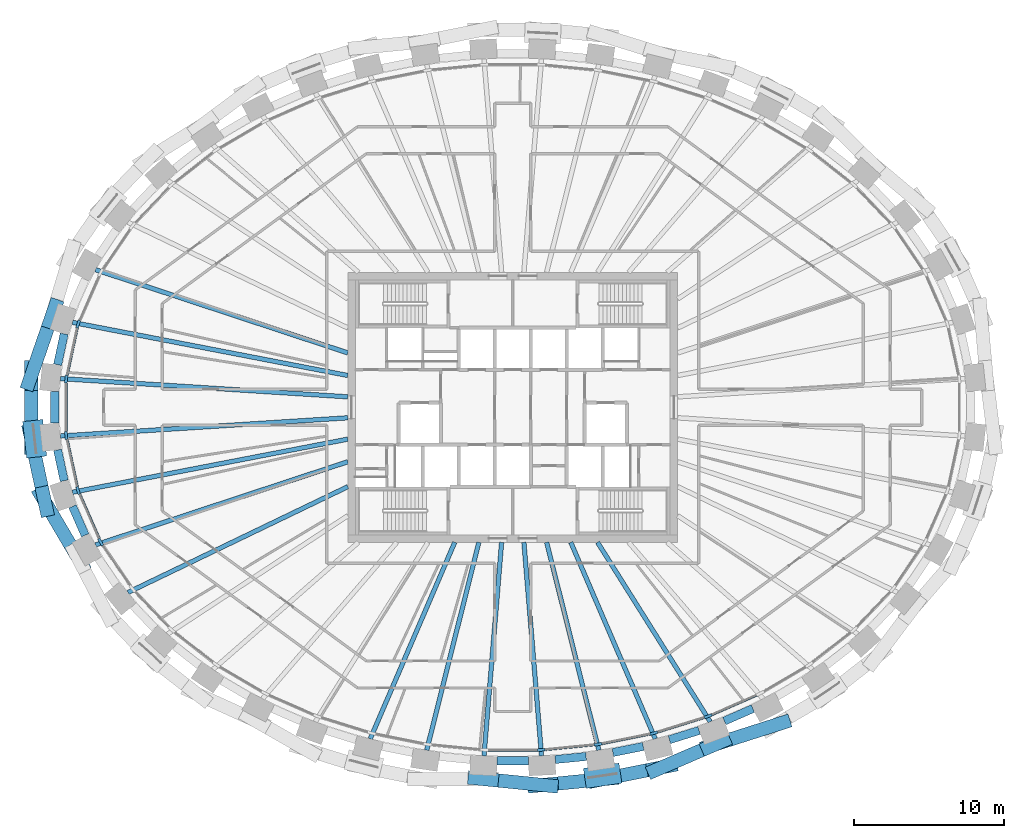
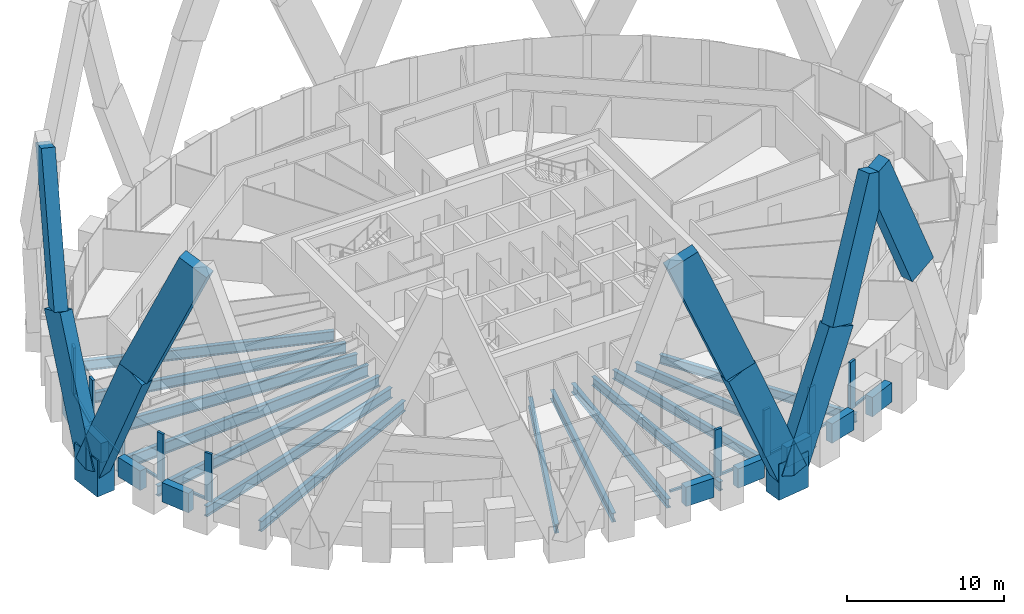
# One storey, part 2 of 14: 29 members, 23 beams, 1 element without a shape of its own.
"""IFC4 building model written with IfcOpenShell, lengths in metres."""

from ifc_helpers import new_model, si_unit, direction, frame, origin, origin_2d, place, context, subcontext, project, spatial, rectangle, i_section, extrude, source, transform, mapped, material, material_profile, profile_set, type_object, element, aggregate, save


model = new_model("IFC4")

# Units and contexts
model_context = context("Model", 3, precision=1e-05, world=origin(), true_north=direction((0.0, 1.0)))
body_context = subcontext(model_context, "Body", "Model", "MODEL_VIEW")
ifc_project = project(units=[si_unit("LENGTHUNIT", "METRE"), si_unit("AREAUNIT", "SQUARE_METRE"), si_unit("VOLUMEUNIT", "CUBIC_METRE"), si_unit("PLANEANGLEUNIT", "RADIAN"), si_unit("MASSUNIT", "GRAM", prefix="KILO")], contexts=[model_context])

# Site, building, storey
site_placement = place(None, origin())
site = spatial("IfcSite", under=ifc_project, at=site_placement, CompositionType="ELEMENT")
building_placement = place(site_placement, origin())
building = spatial("IfcBuilding", under=site, at=building_placement, Name="Embergate Tower", CompositionType="ELEMENT")
storey_placement = place(building_placement, frame((0.0, 0.0, 297.39990234375)))
storey = spatial("IfcBuildingStorey", under=building, at=storey_placement, Name="L69", CompositionType="ELEMENT", Elevation=297.39990234375)

# Beams
ifc_material_1 = material(Name="Concrete C50", Category="concrete")
ifc_material_profile_1 = material_profile(ifc_material_1, rectangle(XDim=0.550048828125, YDim=1.5, at=origin_2d()), Name="RC 550x1500")
ifc_profile_set_1 = profile_set([ifc_material_profile_1], Name="Concrete C50")
beam_type_1 = type_object("IfcBeamType", Name="Spandrel beam RC 550x1500 C50", PredefinedType="BEAM", material=ifc_profile_set_1)
shared_shape_1 = source(origin(), body_context, "Body", "SweptSolid", [
    extrude(rectangle(XDim=0.550048828125, YDim=1.5, at=origin_2d()), origin(), (0.0, 0.0, 1.0), 2.10107421875),
])
for number, where, z_axis, x_axis, name in (
    (1, (-29.905029296875, 4.89501953125, 0.0), (-0.210330547493, -0.977630329312, 0.0), (0.977630329312, -0.210330547493, 0.0), "SPN-L69-20"),
    (2, (-30.346923828125, -2.841064453125, 0.0), (0.210330547493, -0.977630329312, 0.0), (0.977630329312, 0.210330547493, 0.0), "SPN-L69-22"),
):
    element("IfcBeam", number, at=place(storey_placement, frame(where, z_axis=z_axis, x_axis=x_axis)), inside=storey, type_object=beam_type_1, Name=name, PredefinedType="BEAM", context=body_context, shape_type="MappedRepresentation", body=[
        mapped(shared_shape_1, transform((0.0, 0.0, 0.0))),
    ])
shared_shape_2 = source(origin(), body_context, "Body", "SweptSolid", [
    extrude(rectangle(XDim=0.550048828125, YDim=1.5, at=origin_2d()), origin(), (0.0, 0.0, 1.0), 2.097900390625),
])
beam_1_placement = place(storey_placement, frame((-29.35107421875, -6.60791015625, 0.0), z_axis=(0.401825860592, -0.91571610107, 0.0), x_axis=(0.91571610107, 0.401825860592, 0.0)))
element("IfcBeam", 3, at=beam_1_placement, inside=storey, type_object=beam_type_1, Name="SPN-L69-23", PredefinedType="BEAM", context=body_context, shape_type="MappedRepresentation", body=[
    mapped(shared_shape_2, transform((0.0, 0.0, 0.0))),
])
shared_shape_3 = source(origin(), body_context, "Body", "SweptSolid", [
    extrude(rectangle(XDim=0.550048828125, YDim=1.5, at=origin_2d()), origin(), (0.0, 0.0, 1.0), 2.073486328125),
])
beam_2_placement = place(storey_placement, frame((14.10791015625, -20.916015625, 0.0), z_axis=(0.91637608024, 0.400318472673, 0.0), x_axis=(-0.400318472673, 0.91637608024, 0.0)))
element("IfcBeam", 4, at=beam_2_placement, inside=storey, type_object=beam_type_1, Name="SPN-L69-36", PredefinedType="BEAM", context=body_context, shape_type="MappedRepresentation", body=[
    mapped(shared_shape_3, transform((0.0, 0.0, 0.0))),
])
shared_shape_4 = source(origin(), body_context, "Body", "SweptSolid", [
    extrude(rectangle(XDim=0.550048828125, YDim=1.5, at=origin_2d()), origin(), (0.0, 0.0, 1.0), 2.07080078125),
])
beam_3_placement = place(storey_placement, frame((10.445068359375, -22.160888671875, 0.0), z_axis=(0.954735561173, 0.297455892917, 0.0), x_axis=(-0.297455892917, 0.954735561173, 0.0)))
element("IfcBeam", 5, at=beam_3_placement, inside=storey, type_object=beam_type_1, Name="SPN-L69-35", PredefinedType="BEAM", context=body_context, shape_type="MappedRepresentation", body=[
    mapped(shared_shape_4, transform((0.0, 0.0, 0.0))),
])
shared_shape_5 = source(origin(), body_context, "Body", "SweptSolid", [
    extrude(rectangle(XDim=0.550048828125, YDim=1.5, at=origin_2d()), origin(), (0.0, 0.0, 1.0), 2.070556640625),
])
beam_4_placement = place(storey_placement, frame((6.6708984375, -23.013916015625, 0.0), z_axis=(0.980398860457, 0.197023030165, 0.0), x_axis=(-0.197023030165, 0.980398860457, 0.0)))
element("IfcBeam", 6, at=beam_4_placement, inside=storey, type_object=beam_type_1, Name="SPN-L69-34", PredefinedType="BEAM", context=body_context, shape_type="MappedRepresentation", body=[
    mapped(shared_shape_5, transform((0.0, 0.0, 0.0))),
])
shared_shape_6 = source(origin(), body_context, "Body", "SweptSolid", [
    extrude(rectangle(XDim=0.550048828125, YDim=1.5, at=origin_2d()), origin(), (0.0, 0.0, 1.0), 2.06884765625),
])
beam_5_placement = place(storey_placement, frame((2.83203125, -23.48095703125, 0.0), z_axis=(0.995226952233, 0.097587466149, 0.0), x_axis=(-0.097587466149, 0.995226952233, 0.0)))
element("IfcBeam", 7, at=beam_5_placement, inside=storey, type_object=beam_type_1, Name="SPN-L69-33", PredefinedType="BEAM", context=body_context, shape_type="MappedRepresentation", body=[
    mapped(shared_shape_6, transform((0.0, 0.0, 0.0))),
])
shared_shape_7 = source(origin(), body_context, "Body", "SweptSolid", [
    extrude(rectangle(XDim=0.550048828125, YDim=1.5, at=origin_2d()), origin(), (0.0, 0.0, 1.0), 2.06982421875),
])
beam_6_placement = place(storey_placement, frame((-1.034912109375, -23.569091796875, 0.0), z_axis=(1.0, 0.0, 0.0), x_axis=(0.0, 1.0, 0.0)))
element("IfcBeam", 8, at=beam_6_placement, inside=storey, type_object=beam_type_1, Name="SPN-L69-32", PredefinedType="BEAM", context=body_context, shape_type="MappedRepresentation", body=[
    mapped(shared_shape_7, transform((0.0, 0.0, 0.0))),
])
shared_shape_8 = source(origin(), body_context, "Body", "SweptSolid", [
    extrude(rectangle(XDim=0.550048828125, YDim=1.5, at=origin_2d()), origin(), (0.0, 0.0, 1.0), 2.10205078125),
])
beam_7_placement = place(storey_placement, frame((-30.5380859375, 1.051025390625, 0.0), z_axis=(0.0, -1.0, 0.0), x_axis=(1.0, 0.0, 0.0)))
element("IfcBeam", 9, at=beam_7_placement, inside=storey, type_object=beam_type_1, Name="SPN-L69-21", PredefinedType="BEAM", context=body_context, shape_type="MappedRepresentation", body=[
    mapped(shared_shape_8, transform((0.0, 0.0, 0.0))),
])
ifc_material_2 = material(Name="Steel Q355B", Category="steel")
ifc_material_profile_2 = material_profile(ifc_material_2, i_section(OverallWidth=0.300048828125, OverallDepth=0.89990234375, WebThickness=0.01611328125, FlangeThickness=0.028076171875, FilletRadius=0.028076171875, at=origin_2d()), Name="HN 900x300x16x28")
ifc_profile_set_2 = profile_set([ifc_material_profile_2], Name="Steel Q355 grade B")
beam_type_2 = type_object("IfcBeamType", Name="Radial girder HN 900x300x16x28", PredefinedType="BEAM", material=ifc_profile_set_2)
shared_shape_9 = source(origin(), body_context, "Body", "SweptSolid", [
    extrude(i_section(OverallWidth=0.300048828125, OverallDepth=0.89990234375, WebThickness=0.01611328125, FlangeThickness=0.028076171875, FilletRadius=0.028076171875, at=origin_2d()), origin(), (0.0, 0.0, 1.0), 19.20166015625),
])
for number, where, z_axis, x_axis, name in (
    (10, (-30.1630859375, 1.916015625, -0.64990234375), (0.997989342147, -0.063381960844, 0.0), (0.063381960844, 0.997989342147, 0.0), "GIR-L69-21"),
    (11, (-30.1630859375, -1.916015625, -0.64990234375), (0.997989342147, 0.063381960844, 0.0), (-0.063381960844, 0.997989342147, 0.0), "GIR-L69-22"),
):
    element("IfcBeam", number, at=place(storey_placement, frame(where, z_axis=z_axis, x_axis=x_axis)), inside=storey, type_object=beam_type_2, Name=name, PredefinedType="BEAM", context=body_context, shape_type="MappedRepresentation", body=[
        mapped(shared_shape_9, transform((0.0, 0.0, 0.0))),
    ])
ifc_material_profile_3 = material_profile(ifc_material_2, i_section(OverallWidth=0.300048828125, OverallDepth=0.800048828125, WebThickness=0.013916015625, FlangeThickness=0.02587890625, FilletRadius=0.028076171875, at=origin_2d()), Name="HN 800x300x14x26")
ifc_profile_set_3 = profile_set([ifc_material_profile_3], Name="Steel Q355 grade B")
beam_type_3 = type_object("IfcBeamType", Name="Radial girder HN 800x300x14x26", PredefinedType="BEAM", material=ifc_profile_set_3)
shared_shape_10 = source(origin(), body_context, "Body", "SweptSolid", [
    extrude(i_section(OverallWidth=0.300048828125, OverallDepth=0.800048828125, WebThickness=0.013916015625, FlangeThickness=0.02587890625, FilletRadius=0.028076171875, at=origin_2d()), origin(), (0.0, 0.0, 1.0), 18.6943359375),
])
for number, where, z_axis, x_axis, name in (
    (12, (-29.35595703125, 5.6630859375, -0.599853515625), (0.981896924723, -0.189416021549, 0.0), (0.189416021549, 0.981896924723, 0.0), "GIR-L69-20"),
    (13, (-29.35595703125, -5.6630859375, -0.599853515625), (0.981896924723, 0.189416021549, 0.0), (-0.189416021549, 0.981896924723, 0.0), "GIR-L69-23"),
):
    element("IfcBeam", number, at=place(storey_placement, frame(where, z_axis=z_axis, x_axis=x_axis)), inside=storey, type_object=beam_type_3, Name=name, PredefinedType="BEAM", context=body_context, shape_type="MappedRepresentation", body=[
        mapped(shared_shape_10, transform((0.0, 0.0, 0.0))),
    ])
shared_shape_11 = source(origin(), body_context, "Body", "SweptSolid", [
    extrude(i_section(OverallWidth=0.300048828125, OverallDepth=0.800048828125, WebThickness=0.013916015625, FlangeThickness=0.02587890625, FilletRadius=0.028076171875, at=origin_2d()), origin(), (0.0, 0.0, 1.0), 17.70703125),
])
for number, where, z_axis, x_axis, name in (
    (14, (-27.81591796875, 9.174072265625, -0.599853515625), (0.949680910183, -0.313219042897, 0.0), (0.313219042897, 0.949680910183, 0.0), "GIR-L69-19"),
    (15, (-27.81591796875, -9.174072265625, -0.599853515625), (0.949680910183, 0.313219042897, 0.0), (-0.313219042897, 0.949680910183, 0.0), "GIR-L69-24"),
):
    element("IfcBeam", number, at=place(storey_placement, frame(where, z_axis=z_axis, x_axis=x_axis)), inside=storey, type_object=beam_type_3, Name=name, PredefinedType="BEAM", context=body_context, shape_type="MappedRepresentation", body=[
        mapped(shared_shape_11, transform((0.0, 0.0, 0.0))),
    ])
shared_shape_12 = source(origin(), body_context, "Body", "SweptSolid", [
    extrude(i_section(OverallWidth=0.300048828125, OverallDepth=0.800048828125, WebThickness=0.013916015625, FlangeThickness=0.02587890625, FilletRadius=0.028076171875, at=origin_2d()), origin(), (0.0, 0.0, 1.0), 16.268310546875),
])
beam_8_placement = place(storey_placement, frame((-25.659912109375, -12.344970703125, -0.599853515625), z_axis=(0.901133717561, 0.433541258791, 0.0), x_axis=(-0.433541258791, 0.901133717561, 0.0)))
element("IfcBeam", 16, at=beam_8_placement, inside=storey, type_object=beam_type_3, Name="GIR-L69-25", PredefinedType="BEAM", context=body_context, shape_type="MappedRepresentation", body=[
    mapped(shared_shape_12, transform((0.0, 0.0, 0.0))),
])
ifc_material_profile_4 = material_profile(ifc_material_2, i_section(OverallWidth=0.300048828125, OverallDepth=0.699951171875, WebThickness=0.012939453125, FlangeThickness=0.02392578125, FilletRadius=0.01806640625, at=origin_2d()), Name="HN 700x300x13x24")
ifc_profile_set_4 = profile_set([ifc_material_profile_4], Name="Steel Q355 grade B")
beam_type_4 = type_object("IfcBeamType", Name="Radial girder HN 700x300x13x24", PredefinedType="BEAM", material=ifc_profile_set_4)
shared_shape_13 = source(origin(), body_context, "Body", "SweptSolid", [
    extrude(i_section(OverallWidth=0.300048828125, OverallDepth=0.699951171875, WebThickness=0.012939453125, FlangeThickness=0.02392578125, FilletRadius=0.01806640625, at=origin_2d()), origin(), (0.0, 0.0, 1.0), 14.126953125),
])
beam_9_placement = place(storey_placement, frame((13.166015625, -20.962890625, -0.5498046875), z_axis=(-0.531886600535, 0.846815590416, 0.0), x_axis=(-0.846815590416, -0.531886600535, 0.0)))
element("IfcBeam", 17, at=beam_9_placement, inside=storey, type_object=beam_type_4, Name="GIR-L69-36", PredefinedType="BEAM", context=body_context, shape_type="MappedRepresentation", body=[
    mapped(shared_shape_13, transform((0.0, 0.0, 0.0))),
])
shared_shape_14 = source(origin(), body_context, "Body", "SweptSolid", [
    extrude(i_section(OverallWidth=0.300048828125, OverallDepth=0.699951171875, WebThickness=0.012939453125, FlangeThickness=0.02392578125, FilletRadius=0.01806640625, at=origin_2d()), origin(), (0.0, 0.0, 1.0), 14.263427734375),
])
for number, where, z_axis, x_axis, name in (
    (18, (-9.501953125, -22.10400390625, -0.5498046875), (0.394929229866, 0.918711545262, 0.0), (-0.918711545262, 0.394929229866, 0.0), "GIR-L69-30"),
    (19, (9.501953125, -22.10400390625, -0.5498046875), (-0.394929229866, 0.918711545262, 0.0), (-0.918711545262, -0.394929229866, 0.0), "GIR-L69-35"),
):
    element("IfcBeam", number, at=place(storey_placement, frame(where, z_axis=z_axis, x_axis=x_axis)), inside=storey, type_object=beam_type_4, Name=name, PredefinedType="BEAM", context=body_context, shape_type="MappedRepresentation", body=[
        mapped(shared_shape_14, transform((0.0, 0.0, 0.0))),
    ])
shared_shape_15 = source(origin(), body_context, "Body", "SweptSolid", [
    extrude(i_section(OverallWidth=0.300048828125, OverallDepth=0.699951171875, WebThickness=0.012939453125, FlangeThickness=0.02392578125, FilletRadius=0.01806640625, at=origin_2d()), origin(), (0.0, 0.0, 1.0), 14.288818359375),
])
for number, where, z_axis, x_axis, name in (
    (20, (-5.738037109375, -22.85888671875, -0.5498046875), (0.243476248961, 0.969906859545, 0.0), (-0.969906859545, 0.243476248961, 0.0), "GIR-L69-31"),
    (21, (5.738037109375, -22.85888671875, -0.5498046875), (-0.243476248961, 0.969906859545, 0.0), (-0.969906859545, -0.243476248961, 0.0), "GIR-L69-34"),
):
    element("IfcBeam", number, at=place(storey_placement, frame(where, z_axis=z_axis, x_axis=x_axis)), inside=storey, type_object=beam_type_4, Name=name, PredefinedType="BEAM", context=body_context, shape_type="MappedRepresentation", body=[
        mapped(shared_shape_15, transform((0.0, 0.0, 0.0))),
    ])
shared_shape_16 = source(origin(), body_context, "Body", "SweptSolid", [
    extrude(i_section(OverallWidth=0.300048828125, OverallDepth=0.699951171875, WebThickness=0.012939453125, FlangeThickness=0.02392578125, FilletRadius=0.01806640625, at=origin_2d()), origin(), (0.0, 0.0, 1.0), 14.282470703125),
])
for number, where, z_axis, x_axis, name in (
    (22, (-1.9189453125, -23.23388671875, -0.5498046875), (0.082340957712, 0.996604217673, 0.0), (-0.996604217673, 0.082340957712, 0.0), "GIR-L69-32"),
    (23, (1.9189453125, -23.23388671875, -0.5498046875), (-0.082340957712, 0.996604217673, 0.0), (-0.996604217673, -0.082340957712, 0.0), "GIR-L69-33"),
):
    element("IfcBeam", number, at=place(storey_placement, frame(where, z_axis=z_axis, x_axis=x_axis)), inside=storey, type_object=beam_type_4, Name=name, PredefinedType="BEAM", context=body_context, shape_type="MappedRepresentation", body=[
        mapped(shared_shape_16, transform((0.0, 0.0, 0.0))),
    ])

# Members
ifc_material_3 = material(Name="Concrete C70", Category="concrete")
ifc_material_profile_5 = material_profile(ifc_material_3, rectangle(XDim=1.35009765625, YDim=2.449951171875, at=origin_2d()), Name="RC 1350x2450")
ifc_profile_set_5 = profile_set([ifc_material_profile_5], Name="Concrete C70")
member_type_1 = type_object("IfcMemberType", Name="Lattice node block RC 1350x2450", PredefinedType="POST", material=ifc_profile_set_5)
shared_shape_17 = source(origin(), body_context, "Body", "SweptSolid", [
    extrude(rectangle(XDim=1.35009765625, YDim=2.449951171875, at=origin_2d()), origin(), (0.0, 0.0, 1.0), 2.849853515625),
])
member_1_placement = place(storey_placement, frame((-31.876953125, -2.10009765625, -1.4248046875), z_axis=(0.0, 0.0, 1.0), x_axis=(-0.99428589498, -0.106749983816, 0.0)))
element("IfcMember", 24, at=member_1_placement, inside=storey, type_object=member_type_1, Name="NOD-L69-22", PredefinedType="POST", context=body_context, shape_type="MappedRepresentation", body=[
    mapped(shared_shape_17, transform((0.0, 0.0, 0.0))),
])
ifc_material_profile_6 = material_profile(ifc_material_3, rectangle(XDim=1.35009765625, YDim=2.39990234375, at=origin_2d()), Name="RC 1350x2400")
ifc_profile_set_6 = profile_set([ifc_material_profile_6], Name="Concrete C70")
member_type_2 = type_object("IfcMemberType", Name="Lattice node block RC 1350x2400", PredefinedType="POST", material=ifc_profile_set_6)
shared_shape_18 = source(origin(), body_context, "Body", "SweptSolid", [
    extrude(rectangle(XDim=1.35009765625, YDim=2.39990234375, at=origin_2d()), origin(), (0.0, 0.0, 1.0), 2.800048828125),
])
member_2_placement = place(storey_placement, frame((5.991943359375, -24.56494140625, -1.39990234375), z_axis=(0.0, 0.0, 1.0), x_axis=(0.146929011949, -0.989147039346, 0.0)))
element("IfcMember", 25, at=member_2_placement, inside=storey, type_object=member_type_2, Name="NOD-L69-34", PredefinedType="POST", context=body_context, shape_type="MappedRepresentation", body=[
    mapped(shared_shape_18, transform((0.0, 0.0, 0.0))),
])
ifc_material_profile_7 = material_profile(ifc_material_3, rectangle(XDim=0.89990234375, YDim=2.199951171875, at=origin_2d()), Name="RC 900x2200")
ifc_profile_set_7 = profile_set([ifc_material_profile_7], Name="Concrete C70")
member_type_3 = type_object("IfcMemberType", Name="Lattice diagonal terracotta-faced RC 900x2200", PredefinedType="BRACE", material=ifc_profile_set_7)
shared_shape_19 = source(origin(), body_context, "Body", "SweptSolid", [
    extrude(rectangle(XDim=0.89990234375, YDim=2.199951171875, at=origin_2d()), origin(), (0.0, 0.0, 1.0), 10.63671875),
])
member_3_placement = place(storey_placement, frame((-32.10107421875, -2.1240234375, 0.0), z_axis=(0.0, 0.399739716127, 0.916628692193), x_axis=(-1.0, 0.0, 0.0)))
element("IfcMember", 26, at=member_3_placement, inside=storey, type_object=member_type_3, Name="BRC-L69-22-20-S00", PredefinedType="BRACE", context=body_context, shape_type="MappedRepresentation", body=[
    mapped(shared_shape_19, transform((0.0, 0.0, 0.0))),
])
shared_shape_20 = source(origin(), body_context, "Body", "SweptSolid", [
    extrude(rectangle(XDim=0.89990234375, YDim=2.199951171875, at=origin_2d()), origin(), (0.0, 0.0, 1.0), 10.671875),
])
member_4_placement = place(storey_placement, frame((-32.10107421875, 2.1279296875, 9.75), z_axis=(0.132984963002, 0.384199117263, 0.913622481066), x_axis=(-0.944991425243, 0.327095102711, 0.0)))
element("IfcMember", 27, at=member_4_placement, inside=storey, type_object=member_type_3, Name="BRC-L69-22-20-S01", PredefinedType="BRACE", context=body_context, shape_type="MappedRepresentation", body=[
    mapped(shared_shape_20, transform((0.0, 0.0, 0.0))),
])
shared_shape_21 = source(origin(), body_context, "Body", "SweptSolid", [
    extrude(rectangle(XDim=0.89990234375, YDim=2.199951171875, at=origin_2d()), origin(), (0.0, 0.0, 1.0), 10.6357421875),
])
member_5_placement = place(storey_placement, frame((-32.10107421875, -2.1240234375, 0.0), z_axis=(0.084151790961, -0.390573574252, 0.916717382389), x_axis=(0.977567223839, 0.210623652224, 0.0)))
element("IfcMember", 28, at=member_5_placement, inside=storey, type_object=member_type_3, Name="BRC-L69-22-24-S00", PredefinedType="BRACE", context=body_context, shape_type="MappedRepresentation", body=[
    mapped(shared_shape_21, transform((0.0, 0.0, 0.0))),
])
shared_shape_22 = source(origin(), body_context, "Body", "SweptSolid", [
    extrude(rectangle(XDim=0.89990234375, YDim=2.199951171875, at=origin_2d()), origin(), (0.0, 0.0, 1.0), 10.68359375),
])
member_6_placement = place(storey_placement, frame((-31.2060546875, -6.278076171875, 9.75), z_axis=(0.207244031553, -0.352399405731, 0.91261414093), x_axis=(0.861987377215, 0.506929740222, 0.0)))
element("IfcMember", 29, at=member_6_placement, inside=storey, type_object=member_type_3, Name="BRC-L69-22-24-S01", PredefinedType="BRACE", context=body_context, shape_type="MappedRepresentation", body=[
    mapped(shared_shape_22, transform((0.0, 0.0, 0.0))),
])
shared_shape_23 = source(origin(), body_context, "Body", "SweptSolid", [
    extrude(rectangle(XDim=0.89990234375, YDim=2.199951171875, at=origin_2d()), origin(), (0.0, 0.0, 1.0), 10.540283203125),
])
member_7_placement = place(storey_placement, frame((6.02490234375, -24.7880859375, 0.0), z_axis=(0.372481276334, 0.074676925247, 0.925030299837), x_axis=(-0.196573403057, 0.980489111215, 0.0)))
element("IfcMember", 30, at=member_7_placement, inside=storey, type_object=member_type_3, Name="BRC-L69-34-36-S00", PredefinedType="BRACE", context=body_context, shape_type="MappedRepresentation", body=[
    mapped(shared_shape_23, transform((0.0, 0.0, 0.0))),
])
shared_shape_24 = source(origin(), body_context, "Body", "SweptSolid", [
    extrude(rectangle(XDim=0.89990234375, YDim=2.199951171875, at=origin_2d()), origin(), (0.0, 0.0, 1.0), 10.552734375),
])
member_8_placement = place(storey_placement, frame((6.02490234375, -24.7880859375, 0.0), z_axis=(-0.38073709082, -0.037317185848, 0.923930027283), x_axis=(0.097545585255, -0.995231057995, 0.0)))
element("IfcMember", 31, at=member_8_placement, inside=storey, type_object=member_type_3, Name="BRC-L69-34-32-S00", PredefinedType="BRACE", context=body_context, shape_type="MappedRepresentation", body=[
    mapped(shared_shape_24, transform((0.0, 0.0, 0.0))),
])
shared_shape_25 = source(origin(), body_context, "Body", "SweptSolid", [
    extrude(rectangle(XDim=0.89990234375, YDim=2.199951171875, at=origin_2d()), origin(), (0.0, 0.0, 1.0), 10.536865234375),
])
member_9_placement = place(storey_placement, frame((2.007080078125, -25.181884765625, 9.75), z_axis=(-0.377256429688, 0.038138071691, 0.925323226633), x_axis=(-0.100580579476, -0.994928915568, 0.0)))
element("IfcMember", 32, at=member_9_placement, inside=storey, type_object=member_type_3, Name="BRC-L69-34-32-S01", PredefinedType="BRACE", context=body_context, shape_type="MappedRepresentation", body=[
    mapped(shared_shape_25, transform((0.0, 0.0, 0.0))),
])
shared_shape_26 = source(origin(), body_context, "Body", "SweptSolid", [
    extrude(rectangle(XDim=0.89990234375, YDim=2.199951171875, at=origin_2d()), origin(), (0.0, 0.0, 1.0), 10.50341796875),
])
member_10_placement = place(storey_placement, frame((9.950927734375, -24.0009765625, 9.75), z_axis=(0.341525701712, 0.147181701711, 0.928276759244), x_axis=(-0.395766640327, 0.918351112813, 0.0)))
element("IfcMember", 33, at=member_10_placement, inside=storey, type_object=member_type_3, Name="BRC-L69-34-36-S01", PredefinedType="BRACE", context=body_context, shape_type="MappedRepresentation", body=[
    mapped(shared_shape_26, transform((0.0, 0.0, 0.0))),
])
shared_shape_27 = source(origin(), body_context, "Body", "SweptSolid", [
    extrude(rectangle(XDim=0.89990234375, YDim=2.199951171875, at=origin_2d()), origin(), (0.0, 0.0, 1.0), 10.609130859375),
])
member_11_placement = place(storey_placement, frame((17.52197265625, -21.181884765625, 9.75), z_axis=(-0.375512870127, -0.120008556055, 0.919014706543), x_axis=(0.304417754928, -0.952538624143, 0.0)))
element("IfcMember", 34, at=member_11_placement, inside=storey, type_object=member_type_3, Name="BRC-L69-38-36-S01", PredefinedType="BRACE", context=body_context, shape_type="MappedRepresentation", body=[
    mapped(shared_shape_27, transform((0.0, 0.0, 0.0))),
])

# Curtain wall, members
ifc_material_4 = material(Name="Aluminium and glass", Category="aluminium")
curtain_wall_type = type_object("IfcCurtainWallType", Name="Recessed office glazing", PredefinedType="NOTDEFINED", material=ifc_material_4)
curtain_wall_placement = place(storey_placement, origin())
curtain_wall = element("IfcCurtainWall", 35, at=curtain_wall_placement, inside=storey, type_object=curtain_wall_type, Name="Recessed office glazing ring", ObjectType="RECESSED OFFICE GLAZING", PredefinedType="USERDEFINED")
ifc_material_5 = material(Name="Aluminium, thermally broken", Category="aluminium")
ifc_material_profile_8 = material_profile(ifc_material_5, rectangle(XDim=0.179931640625, YDim=0.52001953125, at=origin_2d()), Name="AL 520x180")
ifc_profile_set_8 = profile_set([ifc_material_profile_8], Name="Aluminium, thermally broken")
member_type_4 = type_object("IfcMemberType", Name="Office mullion", PredefinedType="MULLION", material=ifc_profile_set_8)
shared_shape_28 = source(origin(), body_context, "Body", "SweptSolid", [
    extrude(rectangle(XDim=0.179931640625, YDim=0.52001953125, at=origin_2d()), origin(), (0.0, 0.0, 1.0), 3.7001953125),
])
member_12_placement = place(storey_placement, frame((-28.985107421875, 5.5419921875, 0.0), z_axis=(0.0, 0.0, 1.0), x_axis=(0.951493502218, -0.307668840212, 0.0)))
member_12 = element("IfcMember", 36, at=member_12_placement, type_object=member_type_4, Name="CW mullion 21", PredefinedType="MULLION", context=body_context, shape_type="MappedRepresentation", body=[
    mapped(shared_shape_28, transform((0.0, 0.0, 0.0))),
])
member_13_placement = place(storey_placement, frame((-29.774658203125, 1.87451171875, 0.0), z_axis=(0.0, 0.0, 1.0), x_axis=(0.994384215926, -0.105830199459, 0.0)))
member_13 = element("IfcMember", 37, at=member_13_placement, type_object=member_type_4, Name="CW mullion 22", PredefinedType="MULLION", context=body_context, shape_type="MappedRepresentation", body=[
    mapped(shared_shape_28, transform((0.0, 0.0, 0.0))),
])
member_14_placement = place(storey_placement, frame((-29.774658203125, -1.87451171875, 0.0), z_axis=(0.0, 0.0, 1.0), x_axis=(0.994384215926, 0.105830199459, 0.0)))
member_14 = element("IfcMember", 38, at=member_14_placement, type_object=member_type_4, Name="CW mullion 23", PredefinedType="MULLION", context=body_context, shape_type="MappedRepresentation", body=[
    mapped(shared_shape_28, transform((0.0, 0.0, 0.0))),
])
member_15_placement = place(storey_placement, frame((-28.985107421875, -5.5419921875, 0.0), z_axis=(0.0, 0.0, 1.0), x_axis=(0.951493502218, 0.307668840212, 0.0)))
member_15 = element("IfcMember", 39, at=member_15_placement, type_object=member_type_4, Name="CW mullion 24", PredefinedType="MULLION", context=body_context, shape_type="MappedRepresentation", body=[
    mapped(shared_shape_28, transform((0.0, 0.0, 0.0))),
])
member_16_placement = place(storey_placement, frame((-27.4755859375, -8.983642578125, 0.0), z_axis=(0.0, 0.0, 1.0), x_axis=(0.87499344622, 0.484134763338, 0.0)))
member_16 = element("IfcMember", 40, at=member_16_placement, type_object=member_type_4, Name="CW mullion 25", PredefinedType="MULLION", context=body_context, shape_type="MappedRepresentation", body=[
    mapped(shared_shape_28, transform((0.0, 0.0, 0.0))),
])
member_17_placement = place(storey_placement, frame((1.89990234375, -22.844482421875, 0.0), z_axis=(0.0, 0.0, 1.0), x_axis=(-0.048971796621, 0.998800161762, 0.0)))
member_17 = element("IfcMember", 41, at=member_17_placement, type_object=member_type_4, Name="CW mullion 34", PredefinedType="MULLION", context=body_context, shape_type="MappedRepresentation", body=[
    mapped(shared_shape_28, transform((0.0, 0.0, 0.0))),
])
member_18_placement = place(storey_placement, frame((5.68115234375, -22.472900390625, 0.0), z_axis=(0.0, 0.0, 1.0), x_axis=(-0.147412382818, 0.989075118174, 0.0)))
member_18 = element("IfcMember", 42, at=member_18_placement, type_object=member_type_4, Name="CW mullion 35", PredefinedType="MULLION", context=body_context, shape_type="MappedRepresentation", body=[
    mapped(shared_shape_28, transform((0.0, 0.0, 0.0))),
])
member_19_placement = place(storey_placement, frame((9.405029296875, -21.72607421875, 0.0), z_axis=(0.0, 0.0, 1.0), x_axis=(-0.24731188137, 0.968935928394, 0.0)))
member_19 = element("IfcMember", 43, at=member_19_placement, type_object=member_type_4, Name="CW mullion 36", PredefinedType="MULLION", context=body_context, shape_type="MappedRepresentation", body=[
    mapped(shared_shape_28, transform((0.0, 0.0, 0.0))),
])
member_20_placement = place(storey_placement, frame((13.029541015625, -20.597412109375, 0.0), z_axis=(0.0, 0.0, 1.0), x_axis=(-0.349501047589, 0.936935973124, 0.0)))
member_20 = element("IfcMember", 44, at=member_20_placement, type_object=member_type_4, Name="CW mullion 37", PredefinedType="MULLION", context=body_context, shape_type="MappedRepresentation", body=[
    mapped(shared_shape_28, transform((0.0, 0.0, 0.0))),
])
ifc_material_profile_9 = material_profile(ifc_material_5, rectangle(XDim=0.179931640625, YDim=0.14990234375, at=origin_2d()), Name="AL 150x180")
ifc_profile_set_9 = profile_set([ifc_material_profile_9], Name="Aluminium, thermally broken")
member_type_5 = type_object("IfcMemberType", Name="Office sill transom", PredefinedType="USERDEFINED", material=ifc_profile_set_9)
shared_shape_29 = source(origin(), body_context, "Body", "SweptSolid", [
    extrude(rectangle(XDim=0.179931640625, YDim=0.14990234375, at=origin_2d()), origin(), (0.0, 0.0, 1.0), 3.2314453125),
])
member_21_placement = place(storey_placement, frame((-29.039794921875, 5.287841796875, 0.0751953125), z_axis=(-0.210406118874, -0.977614067585, 0.0), x_axis=(0.977614067585, -0.210406118874, 0.0)))
member_21 = element("IfcMember", 45, at=member_21_placement, type_object=member_type_5, Name="CW transom 21.1", ObjectType="TRANSOM", PredefinedType="USERDEFINED", context=body_context, shape_type="MappedRepresentation", body=[
    mapped(shared_shape_29, transform((0.0, 0.0, 0.0))),
])
member_22_placement = place(storey_placement, frame((-29.7197265625, -2.128662109375, 0.0751953125), z_axis=(0.210406118874, -0.977614067585, 0.0), x_axis=(0.977614067585, 0.210406118874, 0.0)))
member_22 = element("IfcMember", 46, at=member_22_placement, type_object=member_type_5, Name="CW transom 23.1", ObjectType="TRANSOM", PredefinedType="USERDEFINED", context=body_context, shape_type="MappedRepresentation", body=[
    mapped(shared_shape_29, transform((0.0, 0.0, 0.0))),
])
shared_shape_30 = source(origin(), body_context, "Body", "SweptSolid", [
    extrude(rectangle(XDim=0.179931640625, YDim=0.14990234375, at=origin_2d()), origin(), (0.0, 0.0, 1.0), 3.23828125),
])
member_23_placement = place(storey_placement, frame((-28.880859375, -5.780029296875, 0.0751953125), z_axis=(0.401684789579, -0.915777991557, 0.0), x_axis=(0.915777991557, 0.401684789579, 0.0)))
member_23 = element("IfcMember", 47, at=member_23_placement, type_object=member_type_5, Name="CW transom 24.1", ObjectType="TRANSOM", PredefinedType="USERDEFINED", context=body_context, shape_type="MappedRepresentation", body=[
    mapped(shared_shape_30, transform((0.0, 0.0, 0.0))),
])
shared_shape_31 = source(origin(), body_context, "Body", "SweptSolid", [
    extrude(rectangle(XDim=0.179931640625, YDim=0.14990234375, at=origin_2d()), origin(), (0.0, 0.0, 1.0), 3.27294921875),
])
member_24_placement = place(storey_placement, frame((13.267578125, -20.4931640625, 0.0751953125), z_axis=(0.91623435737, 0.400642736582, 0.0), x_axis=(-0.400642736582, 0.91623435737, 0.0)))
member_24 = element("IfcMember", 48, at=member_24_placement, type_object=member_type_5, Name="CW transom 37.1", ObjectType="TRANSOM", PredefinedType="USERDEFINED", context=body_context, shape_type="MappedRepresentation", body=[
    mapped(shared_shape_31, transform((0.0, 0.0, 0.0))),
])
shared_shape_32 = source(origin(), body_context, "Body", "SweptSolid", [
    extrude(rectangle(XDim=0.179931640625, YDim=0.14990234375, at=origin_2d()), origin(), (0.0, 0.0, 1.0), 3.276123046875),
])
member_25_placement = place(storey_placement, frame((9.6533203125, -21.648681640625, 0.0751953125), z_axis=(0.954771243255, 0.297341340976, 0.0), x_axis=(-0.297341340976, 0.954771243255, 0.0)))
member_25 = element("IfcMember", 49, at=member_25_placement, type_object=member_type_5, Name="CW transom 36.1", ObjectType="TRANSOM", PredefinedType="USERDEFINED", context=body_context, shape_type="MappedRepresentation", body=[
    mapped(shared_shape_32, transform((0.0, 0.0, 0.0))),
])
shared_shape_33 = source(origin(), body_context, "Body", "SweptSolid", [
    extrude(rectangle(XDim=0.179931640625, YDim=0.14990234375, at=origin_2d()), origin(), (0.0, 0.0, 1.0), 3.278076171875),
])
member_26_placement = place(storey_placement, frame((5.93603515625, -22.421875, 0.0751953125), z_axis=(0.98046593112, 0.196688987777, 0.0), x_axis=(-0.196688987777, 0.98046593112, 0.0)))
member_26 = element("IfcMember", 50, at=member_26_placement, type_object=member_type_5, Name="CW transom 35.1", ObjectType="TRANSOM", PredefinedType="USERDEFINED", context=body_context, shape_type="MappedRepresentation", body=[
    mapped(shared_shape_33, transform((0.0, 0.0, 0.0))),
])
shared_shape_34 = source(origin(), body_context, "Body", "SweptSolid", [
    extrude(rectangle(XDim=0.179931640625, YDim=0.14990234375, at=origin_2d()), origin(), (0.0, 0.0, 1.0), 3.279296875),
])
member_27_placement = place(storey_placement, frame((2.15869140625, -22.819091796875, 0.0751953125), z_axis=(0.995203828947, 0.097822997549, 0.0), x_axis=(-0.097822997549, 0.995203828947, 0.0)))
member_27 = element("IfcMember", 51, at=member_27_placement, type_object=member_type_5, Name="CW transom 34.1", ObjectType="TRANSOM", PredefinedType="USERDEFINED", context=body_context, shape_type="MappedRepresentation", body=[
    mapped(shared_shape_34, transform((0.0, 0.0, 0.0))),
])
shared_shape_35 = source(origin(), body_context, "Body", "SweptSolid", [
    extrude(rectangle(XDim=0.179931640625, YDim=0.14990234375, at=origin_2d()), origin(), (0.0, 0.0, 1.0), 3.27978515625),
])
member_28_placement = place(storey_placement, frame((-1.639892578125, -22.844482421875, 0.0751953125), z_axis=(1.0, 0.0, 0.0), x_axis=(0.0, 1.0, 0.0)))
member_28 = element("IfcMember", 52, at=member_28_placement, type_object=member_type_5, Name="CW transom 33.1", ObjectType="TRANSOM", PredefinedType="USERDEFINED", context=body_context, shape_type="MappedRepresentation", body=[
    mapped(shared_shape_35, transform((0.0, 0.0, 0.0))),
])
shared_shape_36 = source(origin(), body_context, "Body", "SweptSolid", [
    extrude(rectangle(XDim=0.179931640625, YDim=0.14990234375, at=origin_2d()), origin(), (0.0, 0.0, 1.0), 3.22900390625),
])
member_29_placement = place(storey_placement, frame((-29.774658203125, 1.614501953125, 0.0751953125), z_axis=(0.0, -1.0, 0.0), x_axis=(1.0, 0.0, 0.0)))
member_29 = element("IfcMember", 53, at=member_29_placement, type_object=member_type_5, Name="CW transom 22.1", ObjectType="TRANSOM", PredefinedType="USERDEFINED", context=body_context, shape_type="MappedRepresentation", body=[
    mapped(shared_shape_36, transform((0.0, 0.0, 0.0))),
])
aggregate(curtain_wall, [member_12, member_13, member_14, member_15, member_16, member_17, member_18, member_19, member_20, member_21, member_29, member_22, member_23, member_28, member_27, member_26, member_25, member_24])

save(model, "model.ifc")
